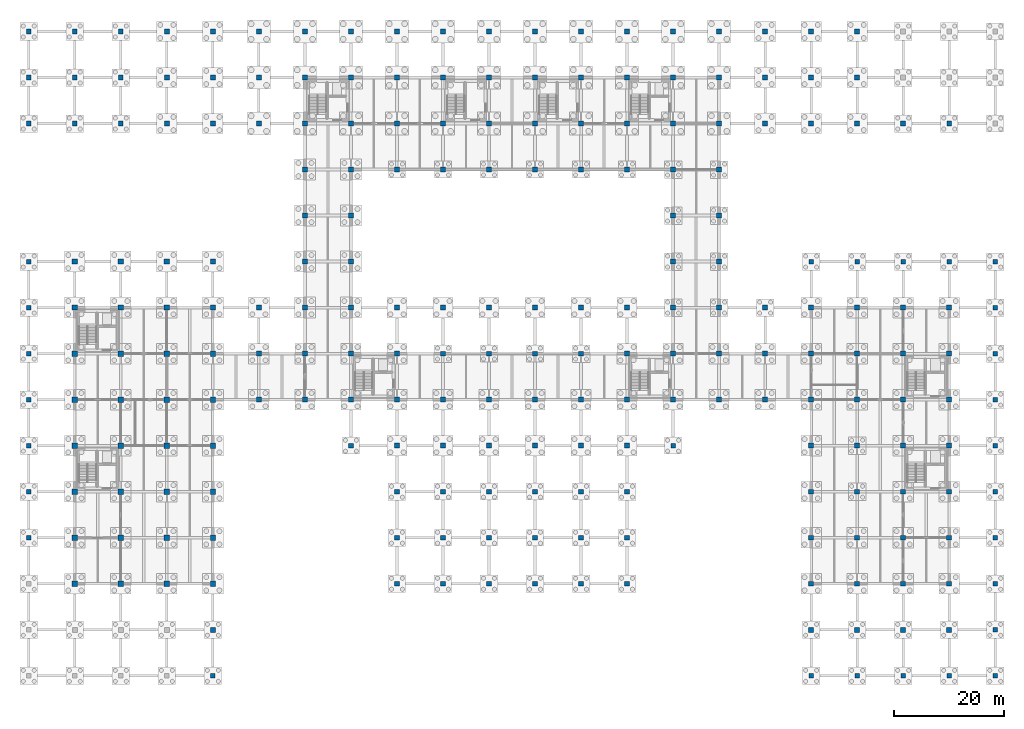
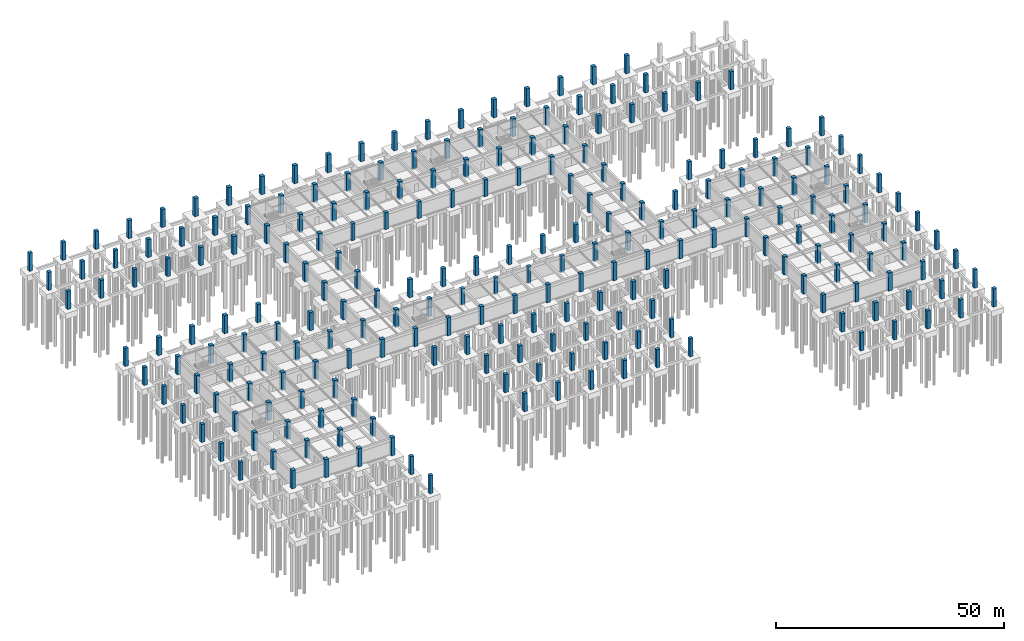
# One storey, part 12 of 29: 230 columns.
"""IFC4 building model written with IfcOpenShell, lengths in metres."""

from ifc_helpers import new_model, si_unit, direction, frame, origin, origin_2d, place, context, subcontext, project, spatial, rectangle, extrude, material, material_profile, profile_set, type_object, element, save


model = new_model("IFC4")

# Units and contexts
model_context = context("Model", 3, precision=1e-05, world=origin(), true_north=direction((0.0, 1.0)))
body_context = subcontext(model_context, "Body", "Model", "MODEL_VIEW")
ifc_project = project(units=[si_unit("LENGTHUNIT", "METRE"), si_unit("AREAUNIT", "SQUARE_METRE"), si_unit("VOLUMEUNIT", "CUBIC_METRE"), si_unit("PLANEANGLEUNIT", "RADIAN"), si_unit("MASSUNIT", "GRAM", prefix="KILO")], contexts=[model_context])

# Site, building, storey
site_placement = place(None, origin())
site = spatial("IfcSite", under=ifc_project, at=site_placement, CompositionType="ELEMENT")
building_placement = place(site_placement, origin())
building = spatial("IfcBuilding", under=site, at=building_placement, Name="Porcellanite Civic Hall", CompositionType="ELEMENT")
storey_placement = place(building_placement, frame((0.0, 0.0, -4.5)))
storey = spatial("IfcBuildingStorey", under=building, at=storey_placement, Name="B1", CompositionType="ELEMENT", Elevation=-4.5)

# Columns
ifc_material_1 = material(Name="Concrete N50 (50 MPa)", Category="concrete")
ifc_material_profile_1 = material_profile(ifc_material_1, rectangle(XDim=0.85009765625, YDim=0.85009765625, at=origin_2d()), Name="RC-850x850")
ifc_profile_set_1 = profile_set([ifc_material_profile_1], Name="Concrete N50 (50 MPa)")
column_type_1 = type_object("IfcColumnType", Name="COL-850", PredefinedType="COLUMN", material=ifc_profile_set_1)
for number, where, z_axis, x_axis, name in (
    (1, (0.0, 25.199951171875, -0.35009765625), (0.0, 0.0, 1.0), (1.0, 0.0, 0.0), "Column B1 0-3"),
    (2, (0.0, 33.60009765625, -0.35009765625), (0.0, 0.0, 1.0), (1.0, 0.0, 0.0), "Column B1 0-4"),
    (3, (0.0, 42.0, -0.35009765625), (0.0, 0.0, 1.0), (1.0, 0.0, 0.0), "Column B1 0-5"),
    (4, (0.0, 50.39990234375, -0.35009765625), (0.0, 0.0, 1.0), (1.0, 0.0, 0.0), "Column B1 0-6"),
    (5, (0.0, 58.800048828125, -0.35009765625), (0.0, 0.0, 1.0), (1.0, 0.0, 0.0), "Column B1 0-7"),
    (6, (0.0, 67.199951171875, -0.35009765625), (0.0, 0.0, 1.0), (1.0, 0.0, 0.0), "Column B1 0-8"),
    (7, (0.0, 75.60009765625, -0.35009765625), (0.0, 0.0, 1.0), (1.0, 0.0, 0.0), "Column B1 0-9"),
    (8, (0.0, 100.800048828125, -0.35009765625), (0.0, 0.0, 1.0), (1.0, 0.0, 0.0), "Column B1 0-12"),
    (9, (0.0, 109.199951171875, -0.35009765625), (0.0, 0.0, 1.0), (1.0, 0.0, 0.0), "Column B1 0-13"),
    (10, (0.0, 117.60009765625, -0.35009765625), (0.0, 0.0, 1.0), (1.0, 0.0, 0.0), "Column B1 0-14"),
    (11, (8.39990234375, 100.800048828125, -0.35009765625), (0.0, 0.0, 1.0), (1.0, 0.0, 0.0), "Column B1 1-12"),
    (12, (8.39990234375, 109.199951171875, -0.35009765625), (0.0, 0.0, 1.0), (1.0, 0.0, 0.0), "Column B1 1-13"),
    (13, (8.39990234375, 117.60009765625, -0.35009765625), (0.0, 0.0, 1.0), (1.0, 0.0, 0.0), "Column B1 1-14"),
    (14, (16.800048828125, 100.800048828125, -0.35009765625), (0.0, 0.0, 1.0), (1.0, 0.0, 0.0), "Column B1 2-12"),
    (15, (16.800048828125, 109.199951171875, -0.35009765625), (0.0, 0.0, 1.0), (1.0, 0.0, 0.0), "Column B1 2-13"),
    (16, (16.800048828125, 117.60009765625, -0.35009765625), (0.0, 0.0, 1.0), (1.0, 0.0, 0.0), "Column B1 2-14"),
    (17, (33.60009765625, 0.0, -0.35009765625), (0.0, 0.0, 1.0), (1.0, 0.0, 0.0), "Column B1 4-0"),
    (18, (58.800048828125, 42.0, -0.35009765625), (0.0, 0.0, 1.0), (1.0, 0.0, 0.0), "Column B1 7-5"),
    (19, (67.199951171875, 16.800048828125, -0.35009765625), (0.0, 0.0, 1.0), (1.0, 0.0, 0.0), "Column B1 8-2"),
    (20, (67.199951171875, 25.199951171875, -0.35009765625), (0.0, 0.0, 1.0), (1.0, 0.0, 0.0), "Column B1 8-3"),
    (21, (67.199951171875, 33.60009765625, -0.35009765625), (0.0, 0.0, 1.0), (1.0, 0.0, 0.0), "Column B1 8-4"),
):
    element("IfcColumn", number, at=place(storey_placement, frame(where, z_axis=z_axis, x_axis=x_axis)), inside=storey, type_object=column_type_1, Name=name, PredefinedType="COLUMN", context=body_context, shape_type="SweptSolid", body=[
        extrude(rectangle(XDim=0.85009765625, YDim=0.85009765625, at=origin_2d()), origin(), (0.0, 0.0, 1.0), 4.85009765625),
    ])
column_1_placement = place(storey_placement, frame((67.199951171875, 92.39990234375, -0.35009765625), z_axis=(0.0, 0.0, 1.0), x_axis=(1.0, 0.0, 0.0)))
element("IfcColumn", 22, at=column_1_placement, inside=storey, type_object=column_type_1, Name="Column B1 8-11", PredefinedType="COLUMN", context=body_context, shape_type="SweptSolid", body=[
    extrude(rectangle(XDim=0.85009765625, YDim=0.85009765625, at=origin_2d()), origin(), (0.0, 0.0, 1.0), 4.5),
])
column_2_placement = place(storey_placement, frame((75.60009765625, 16.800048828125, -0.35009765625), z_axis=(0.0, 0.0, 1.0), x_axis=(1.0, 0.0, 0.0)))
element("IfcColumn", 23, at=column_2_placement, inside=storey, type_object=column_type_1, Name="Column B1 9-2", PredefinedType="COLUMN", context=body_context, shape_type="SweptSolid", body=[
    extrude(rectangle(XDim=0.85009765625, YDim=0.85009765625, at=origin_2d()), origin(), (0.0, 0.0, 1.0), 4.85009765625),
])
for number, where, z_axis, x_axis, name in (
    (24, (75.60009765625, 25.199951171875, -0.35009765625), (0.0, 0.0, 1.0), (1.0, 0.0, 0.0), "Column B1 9-3"),
    (25, (75.60009765625, 33.60009765625, -0.35009765625), (0.0, 0.0, 1.0), (1.0, 0.0, 0.0), "Column B1 9-4"),
    (26, (75.60009765625, 58.800048828125, -0.35009765625), (0.0, 0.0, 1.0), (1.0, 0.0, 0.0), "Column B1 9-7"),
    (27, (75.60009765625, 92.39990234375, -0.35009765625), (0.0, 0.0, 1.0), (1.0, 0.0, 0.0), "Column B1 9-11"),
):
    element("IfcColumn", number, at=place(storey_placement, frame(where, z_axis=z_axis, x_axis=x_axis)), inside=storey, type_object=column_type_1, Name=name, PredefinedType="COLUMN", context=body_context, shape_type="SweptSolid", body=[
        extrude(rectangle(XDim=0.85009765625, YDim=0.85009765625, at=origin_2d()), origin(), (0.0, 0.0, 1.0), 4.5),
    ])
column_3_placement = place(storey_placement, frame((84.0, 16.800048828125, -0.35009765625), z_axis=(0.0, 0.0, 1.0), x_axis=(1.0, 0.0, 0.0)))
element("IfcColumn", 28, at=column_3_placement, inside=storey, type_object=column_type_1, Name="Column B1 10-2", PredefinedType="COLUMN", context=body_context, shape_type="SweptSolid", body=[
    extrude(rectangle(XDim=0.85009765625, YDim=0.85009765625, at=origin_2d()), origin(), (0.0, 0.0, 1.0), 4.85009765625),
])
for number, where, z_axis, x_axis, name in (
    (29, (84.0, 25.199951171875, -0.35009765625), (0.0, 0.0, 1.0), (1.0, 0.0, 0.0), "Column B1 10-3"),
    (30, (84.0, 33.60009765625, -0.35009765625), (0.0, 0.0, 1.0), (1.0, 0.0, 0.0), "Column B1 10-4"),
    (31, (84.0, 58.800048828125, -0.35009765625), (0.0, 0.0, 1.0), (1.0, 0.0, 0.0), "Column B1 10-7"),
    (32, (84.0, 92.39990234375, -0.35009765625), (0.0, 0.0, 1.0), (1.0, 0.0, 0.0), "Column B1 10-11"),
):
    element("IfcColumn", number, at=place(storey_placement, frame(where, z_axis=z_axis, x_axis=x_axis)), inside=storey, type_object=column_type_1, Name=name, PredefinedType="COLUMN", context=body_context, shape_type="SweptSolid", body=[
        extrude(rectangle(XDim=0.85009765625, YDim=0.85009765625, at=origin_2d()), origin(), (0.0, 0.0, 1.0), 4.5),
    ])
column_4_placement = place(storey_placement, frame((92.39990234375, 16.800048828125, -0.35009765625), z_axis=(0.0, 0.0, 1.0), x_axis=(1.0, 0.0, 0.0)))
element("IfcColumn", 33, at=column_4_placement, inside=storey, type_object=column_type_1, Name="Column B1 11-2", PredefinedType="COLUMN", context=body_context, shape_type="SweptSolid", body=[
    extrude(rectangle(XDim=0.85009765625, YDim=0.85009765625, at=origin_2d()), origin(), (0.0, 0.0, 1.0), 4.85009765625),
])
for number, where, z_axis, x_axis, name in (
    (34, (92.39990234375, 25.199951171875, -0.35009765625), (0.0, 0.0, 1.0), (1.0, 0.0, 0.0), "Column B1 11-3"),
    (35, (92.39990234375, 33.60009765625, -0.35009765625), (0.0, 0.0, 1.0), (1.0, 0.0, 0.0), "Column B1 11-4"),
    (36, (92.39990234375, 58.800048828125, -0.35009765625), (0.0, 0.0, 1.0), (1.0, 0.0, 0.0), "Column B1 11-7"),
    (37, (92.39990234375, 92.39990234375, -0.35009765625), (0.0, 0.0, 1.0), (1.0, 0.0, 0.0), "Column B1 11-11"),
):
    element("IfcColumn", number, at=place(storey_placement, frame(where, z_axis=z_axis, x_axis=x_axis)), inside=storey, type_object=column_type_1, Name=name, PredefinedType="COLUMN", context=body_context, shape_type="SweptSolid", body=[
        extrude(rectangle(XDim=0.85009765625, YDim=0.85009765625, at=origin_2d()), origin(), (0.0, 0.0, 1.0), 4.5),
    ])
column_5_placement = place(storey_placement, frame((100.800048828125, 16.800048828125, -0.35009765625), z_axis=(0.0, 0.0, 1.0), x_axis=(1.0, 0.0, 0.0)))
element("IfcColumn", 38, at=column_5_placement, inside=storey, type_object=column_type_1, Name="Column B1 12-2", PredefinedType="COLUMN", context=body_context, shape_type="SweptSolid", body=[
    extrude(rectangle(XDim=0.85009765625, YDim=0.85009765625, at=origin_2d()), origin(), (0.0, 0.0, 1.0), 4.85009765625),
])
for number, where, z_axis, x_axis, name in (
    (39, (100.800048828125, 25.199951171875, -0.35009765625), (0.0, 0.0, 1.0), (1.0, 0.0, 0.0), "Column B1 12-3"),
    (40, (100.800048828125, 33.60009765625, -0.35009765625), (0.0, 0.0, 1.0), (1.0, 0.0, 0.0), "Column B1 12-4"),
    (41, (100.800048828125, 58.800048828125, -0.35009765625), (0.0, 0.0, 1.0), (1.0, 0.0, 0.0), "Column B1 12-7"),
    (42, (100.800048828125, 92.39990234375, -0.35009765625), (0.0, 0.0, 1.0), (1.0, 0.0, 0.0), "Column B1 12-11"),
):
    element("IfcColumn", number, at=place(storey_placement, frame(where, z_axis=z_axis, x_axis=x_axis)), inside=storey, type_object=column_type_1, Name=name, PredefinedType="COLUMN", context=body_context, shape_type="SweptSolid", body=[
        extrude(rectangle(XDim=0.85009765625, YDim=0.85009765625, at=origin_2d()), origin(), (0.0, 0.0, 1.0), 4.5),
    ])
for number, where, z_axis, x_axis, name in (
    (43, (109.199951171875, 16.800048828125, -0.35009765625), (0.0, 0.0, 1.0), (1.0, 0.0, 0.0), "Column B1 13-2"),
    (44, (109.199951171875, 25.199951171875, -0.35009765625), (0.0, 0.0, 1.0), (1.0, 0.0, 0.0), "Column B1 13-3"),
    (45, (109.199951171875, 33.60009765625, -0.35009765625), (0.0, 0.0, 1.0), (1.0, 0.0, 0.0), "Column B1 13-4"),
):
    element("IfcColumn", number, at=place(storey_placement, frame(where, z_axis=z_axis, x_axis=x_axis)), inside=storey, type_object=column_type_1, Name=name, PredefinedType="COLUMN", context=body_context, shape_type="SweptSolid", body=[
        extrude(rectangle(XDim=0.85009765625, YDim=0.85009765625, at=origin_2d()), origin(), (0.0, 0.0, 1.0), 4.85009765625),
    ])
column_6_placement = place(storey_placement, frame((109.199951171875, 92.39990234375, -0.35009765625), z_axis=(0.0, 0.0, 1.0), x_axis=(1.0, 0.0, 0.0)))
element("IfcColumn", 46, at=column_6_placement, inside=storey, type_object=column_type_1, Name="Column B1 13-11", PredefinedType="COLUMN", context=body_context, shape_type="SweptSolid", body=[
    extrude(rectangle(XDim=0.85009765625, YDim=0.85009765625, at=origin_2d()), origin(), (0.0, 0.0, 1.0), 4.5),
])
for number, where, z_axis, x_axis, name in (
    (47, (117.60009765625, 42.0, -0.35009765625), (0.0, 0.0, 1.0), (1.0, 0.0, 0.0), "Column B1 14-5"),
    (48, (142.800048828125, 0.0, -0.35009765625), (0.0, 0.0, 1.0), (1.0, 0.0, 0.0), "Column B1 17-0"),
    (49, (142.800048828125, 75.60009765625, -0.35009765625), (0.0, 0.0, 1.0), (1.0, 0.0, 0.0), "Column B1 17-9"),
    (50, (151.199951171875, 0.0, -0.35009765625), (0.0, 0.0, 1.0), (1.0, 0.0, 0.0), "Column B1 18-0"),
    (51, (151.199951171875, 75.60009765625, -0.35009765625), (0.0, 0.0, 1.0), (1.0, 0.0, 0.0), "Column B1 18-9"),
    (52, (159.60009765625, 0.0, -0.35009765625), (0.0, 0.0, 1.0), (1.0, 0.0, 0.0), "Column B1 19-0"),
    (53, (159.60009765625, 75.60009765625, -0.35009765625), (0.0, 0.0, 1.0), (1.0, 0.0, 0.0), "Column B1 19-9"),
    (54, (168.0, 0.0, -0.35009765625), (0.0, 0.0, 1.0), (1.0, 0.0, 0.0), "Column B1 20-0"),
    (55, (168.0, 75.60009765625, -0.35009765625), (0.0, 0.0, 1.0), (1.0, 0.0, 0.0), "Column B1 20-9"),
    (56, (168.0, 100.800048828125, -0.35009765625), (0.0, 0.0, 1.0), (1.0, 0.0, 0.0), "Column B1 20-12"),
    (57, (176.39990234375, 0.0, -0.35009765625), (0.0, 0.0, 1.0), (1.0, 0.0, 0.0), "Column B1 21-0"),
    (58, (176.39990234375, 8.39990234375, -0.35009765625), (0.0, 0.0, 1.0), (1.0, 0.0, 0.0), "Column B1 21-1"),
    (59, (176.39990234375, 16.800048828125, -0.35009765625), (0.0, 0.0, 1.0), (1.0, 0.0, 0.0), "Column B1 21-2"),
    (60, (176.39990234375, 25.199951171875, -0.35009765625), (0.0, 0.0, 1.0), (1.0, 0.0, 0.0), "Column B1 21-3"),
    (61, (176.39990234375, 33.60009765625, -0.35009765625), (0.0, 0.0, 1.0), (1.0, 0.0, 0.0), "Column B1 21-4"),
    (62, (176.39990234375, 42.0, -0.35009765625), (0.0, 0.0, 1.0), (1.0, 0.0, 0.0), "Column B1 21-5"),
    (63, (176.39990234375, 50.39990234375, -0.35009765625), (0.0, 0.0, 1.0), (1.0, 0.0, 0.0), "Column B1 21-6"),
    (64, (176.39990234375, 58.800048828125, -0.35009765625), (0.0, 0.0, 1.0), (1.0, 0.0, 0.0), "Column B1 21-7"),
    (65, (176.39990234375, 67.199951171875, -0.35009765625), (0.0, 0.0, 1.0), (1.0, 0.0, 0.0), "Column B1 21-8"),
    (66, (176.39990234375, 75.60009765625, -0.35009765625), (0.0, 0.0, 1.0), (1.0, 0.0, 0.0), "Column B1 21-9"),
):
    element("IfcColumn", number, at=place(storey_placement, frame(where, z_axis=z_axis, x_axis=x_axis)), inside=storey, type_object=column_type_1, Name=name, PredefinedType="COLUMN", context=body_context, shape_type="SweptSolid", body=[
        extrude(rectangle(XDim=0.85009765625, YDim=0.85009765625, at=origin_2d()), origin(), (0.0, 0.0, 1.0), 4.85009765625),
    ])
ifc_material_2 = material(Name="Concrete N50 (50 MPa)", Category="concrete")
ifc_material_profile_2 = material_profile(ifc_material_2, rectangle(XDim=0.89990234375, YDim=0.89990234375, at=origin_2d()), Name="RC-900x900")
ifc_profile_set_2 = profile_set([ifc_material_profile_2], Name="Concrete N50 (50 MPa)")
column_type_2 = type_object("IfcColumnType", Name="COL-900", PredefinedType="COLUMN", material=ifc_profile_set_2)
for number, where, z_axis, x_axis, name in (
    (67, (25.199951171875, 100.800048828125, -0.35009765625), (0.0, 0.0, 1.0), (1.0, 0.0, 0.0), "Column B1 3-12"),
    (68, (25.199951171875, 109.199951171875, -0.35009765625), (0.0, 0.0, 1.0), (1.0, 0.0, 0.0), "Column B1 3-13"),
    (69, (25.199951171875, 117.60009765625, -0.35009765625), (0.0, 0.0, 1.0), (1.0, 0.0, 0.0), "Column B1 3-14"),
    (70, (33.60009765625, 8.39990234375, -0.35009765625), (0.0, 0.0, 1.0), (1.0, 0.0, 0.0), "Column B1 4-1"),
    (71, (33.60009765625, 100.800048828125, -0.35009765625), (0.0, 0.0, 1.0), (1.0, 0.0, 0.0), "Column B1 4-12"),
    (72, (33.60009765625, 109.199951171875, -0.35009765625), (0.0, 0.0, 1.0), (1.0, 0.0, 0.0), "Column B1 4-13"),
    (73, (33.60009765625, 117.60009765625, -0.35009765625), (0.0, 0.0, 1.0), (1.0, 0.0, 0.0), "Column B1 4-14"),
    (74, (42.0, 50.39990234375, -0.35009765625), (0.0, 0.0, 1.0), (1.0, 0.0, 0.0), "Column B1 5-6"),
    (75, (42.0, 58.800048828125, -0.35009765625), (0.0, 0.0, 1.0), (1.0, 0.0, 0.0), "Column B1 5-7"),
    (76, (50.39990234375, 50.39990234375, -0.35009765625), (0.0, 0.0, 1.0), (1.0, 0.0, 0.0), "Column B1 6-6"),
    (77, (50.39990234375, 58.800048828125, -0.35009765625), (0.0, 0.0, 1.0), (1.0, 0.0, 0.0), "Column B1 6-7"),
    (78, (58.800048828125, 50.39990234375, -0.35009765625), (0.0, 0.0, 1.0), (1.0, 0.0, 0.0), "Column B1 7-6"),
    (79, (58.800048828125, 58.800048828125, -0.35009765625), (0.0, 0.0, 1.0), (1.0, 0.0, 0.0), "Column B1 7-7"),
    (80, (67.199951171875, 42.0, -0.35009765625), (0.0, 0.0, 1.0), (1.0, 0.0, 0.0), "Column B1 8-5"),
    (81, (67.199951171875, 50.39990234375, -0.35009765625), (0.0, 0.0, 1.0), (1.0, 0.0, 0.0), "Column B1 8-6"),
    (82, (67.199951171875, 58.800048828125, -0.35009765625), (0.0, 0.0, 1.0), (1.0, 0.0, 0.0), "Column B1 8-7"),
    (83, (67.199951171875, 67.199951171875, -0.35009765625), (0.0, 0.0, 1.0), (1.0, 0.0, 0.0), "Column B1 8-8"),
    (84, (75.60009765625, 42.0, -0.35009765625), (0.0, 0.0, 1.0), (1.0, 0.0, 0.0), "Column B1 9-5"),
    (85, (75.60009765625, 50.39990234375, -0.35009765625), (0.0, 0.0, 1.0), (1.0, 0.0, 0.0), "Column B1 9-6"),
    (86, (75.60009765625, 67.199951171875, -0.35009765625), (0.0, 0.0, 1.0), (1.0, 0.0, 0.0), "Column B1 9-8"),
    (87, (84.0, 42.0, -0.35009765625), (0.0, 0.0, 1.0), (1.0, 0.0, 0.0), "Column B1 10-5"),
    (88, (84.0, 50.39990234375, -0.35009765625), (0.0, 0.0, 1.0), (1.0, 0.0, 0.0), "Column B1 10-6"),
    (89, (84.0, 67.199951171875, -0.35009765625), (0.0, 0.0, 1.0), (1.0, 0.0, 0.0), "Column B1 10-8"),
    (90, (92.39990234375, 42.0, -0.35009765625), (0.0, 0.0, 1.0), (1.0, 0.0, 0.0), "Column B1 11-5"),
    (91, (92.39990234375, 50.39990234375, -0.35009765625), (0.0, 0.0, 1.0), (1.0, 0.0, 0.0), "Column B1 11-6"),
    (92, (92.39990234375, 67.199951171875, -0.35009765625), (0.0, 0.0, 1.0), (1.0, 0.0, 0.0), "Column B1 11-8"),
    (93, (100.800048828125, 42.0, -0.35009765625), (0.0, 0.0, 1.0), (1.0, 0.0, 0.0), "Column B1 12-5"),
    (94, (100.800048828125, 50.39990234375, -0.35009765625), (0.0, 0.0, 1.0), (1.0, 0.0, 0.0), "Column B1 12-6"),
    (95, (100.800048828125, 67.199951171875, -0.35009765625), (0.0, 0.0, 1.0), (1.0, 0.0, 0.0), "Column B1 12-8"),
    (96, (109.199951171875, 42.0, -0.35009765625), (0.0, 0.0, 1.0), (1.0, 0.0, 0.0), "Column B1 13-5"),
    (97, (109.199951171875, 50.39990234375, -0.35009765625), (0.0, 0.0, 1.0), (1.0, 0.0, 0.0), "Column B1 13-6"),
    (98, (109.199951171875, 58.800048828125, -0.35009765625), (0.0, 0.0, 1.0), (1.0, 0.0, 0.0), "Column B1 13-7"),
    (99, (109.199951171875, 67.199951171875, -0.35009765625), (0.0, 0.0, 1.0), (1.0, 0.0, 0.0), "Column B1 13-8"),
    (100, (117.60009765625, 50.39990234375, -0.35009765625), (0.0, 0.0, 1.0), (1.0, 0.0, 0.0), "Column B1 14-6"),
    (101, (117.60009765625, 58.800048828125, -0.35009765625), (0.0, 0.0, 1.0), (1.0, 0.0, 0.0), "Column B1 14-7"),
    (102, (117.60009765625, 67.199951171875, -0.35009765625), (0.0, 0.0, 1.0), (1.0, 0.0, 0.0), "Column B1 14-8"),
    (103, (117.60009765625, 75.60009765625, -0.35009765625), (0.0, 0.0, 1.0), (1.0, 0.0, 0.0), "Column B1 14-9"),
    (104, (117.60009765625, 84.0, -0.35009765625), (0.0, 0.0, 1.0), (1.0, 0.0, 0.0), "Column B1 14-10"),
    (105, (117.60009765625, 92.39990234375, -0.35009765625), (0.0, 0.0, 1.0), (1.0, 0.0, 0.0), "Column B1 14-11"),
    (106, (126.0, 50.39990234375, -0.35009765625), (0.0, 0.0, 1.0), (1.0, 0.0, 0.0), "Column B1 15-6"),
    (107, (126.0, 58.800048828125, -0.35009765625), (0.0, 0.0, 1.0), (1.0, 0.0, 0.0), "Column B1 15-7"),
    (108, (126.0, 67.199951171875, -0.35009765625), (0.0, 0.0, 1.0), (1.0, 0.0, 0.0), "Column B1 15-8"),
    (109, (126.0, 75.60009765625, -0.35009765625), (0.0, 0.0, 1.0), (1.0, 0.0, 0.0), "Column B1 15-9"),
    (110, (126.0, 84.0, -0.35009765625), (0.0, 0.0, 1.0), (1.0, 0.0, 0.0), "Column B1 15-10"),
    (111, (126.0, 92.39990234375, -0.35009765625), (0.0, 0.0, 1.0), (1.0, 0.0, 0.0), "Column B1 15-11"),
    (112, (134.39990234375, 50.39990234375, -0.35009765625), (0.0, 0.0, 1.0), (1.0, 0.0, 0.0), "Column B1 16-6"),
    (113, (134.39990234375, 58.800048828125, -0.35009765625), (0.0, 0.0, 1.0), (1.0, 0.0, 0.0), "Column B1 16-7"),
    (114, (134.39990234375, 67.199951171875, -0.35009765625), (0.0, 0.0, 1.0), (1.0, 0.0, 0.0), "Column B1 16-8"),
    (115, (142.800048828125, 8.39990234375, -0.35009765625), (0.0, 0.0, 1.0), (1.0, 0.0, 0.0), "Column B1 17-1"),
    (116, (142.800048828125, 16.800048828125, -0.35009765625), (0.0, 0.0, 1.0), (1.0, 0.0, 0.0), "Column B1 17-2"),
    (117, (142.800048828125, 25.199951171875, -0.35009765625), (0.0, 0.0, 1.0), (1.0, 0.0, 0.0), "Column B1 17-3"),
    (118, (142.800048828125, 33.60009765625, -0.35009765625), (0.0, 0.0, 1.0), (1.0, 0.0, 0.0), "Column B1 17-4"),
    (119, (142.800048828125, 42.0, -0.35009765625), (0.0, 0.0, 1.0), (1.0, 0.0, 0.0), "Column B1 17-5"),
    (120, (142.800048828125, 50.39990234375, -0.35009765625), (0.0, 0.0, 1.0), (1.0, 0.0, 0.0), "Column B1 17-6"),
    (121, (142.800048828125, 58.800048828125, -0.35009765625), (0.0, 0.0, 1.0), (1.0, 0.0, 0.0), "Column B1 17-7"),
    (122, (142.800048828125, 67.199951171875, -0.35009765625), (0.0, 0.0, 1.0), (1.0, 0.0, 0.0), "Column B1 17-8"),
    (123, (142.800048828125, 100.800048828125, -0.35009765625), (0.0, 0.0, 1.0), (1.0, 0.0, 0.0), "Column B1 17-12"),
    (124, (142.800048828125, 109.199951171875, -0.35009765625), (0.0, 0.0, 1.0), (1.0, 0.0, 0.0), "Column B1 17-13"),
    (125, (142.800048828125, 117.60009765625, -0.35009765625), (0.0, 0.0, 1.0), (1.0, 0.0, 0.0), "Column B1 17-14"),
    (126, (151.199951171875, 8.39990234375, -0.35009765625), (0.0, 0.0, 1.0), (1.0, 0.0, 0.0), "Column B1 18-1"),
    (127, (151.199951171875, 16.800048828125, -0.35009765625), (0.0, 0.0, 1.0), (1.0, 0.0, 0.0), "Column B1 18-2"),
    (128, (151.199951171875, 25.199951171875, -0.35009765625), (0.0, 0.0, 1.0), (1.0, 0.0, 0.0), "Column B1 18-3"),
    (129, (151.199951171875, 33.60009765625, -0.35009765625), (0.0, 0.0, 1.0), (1.0, 0.0, 0.0), "Column B1 18-4"),
    (130, (151.199951171875, 42.0, -0.35009765625), (0.0, 0.0, 1.0), (1.0, 0.0, 0.0), "Column B1 18-5"),
    (131, (151.199951171875, 50.39990234375, -0.35009765625), (0.0, 0.0, 1.0), (1.0, 0.0, 0.0), "Column B1 18-6"),
    (132, (151.199951171875, 58.800048828125, -0.35009765625), (0.0, 0.0, 1.0), (1.0, 0.0, 0.0), "Column B1 18-7"),
    (133, (151.199951171875, 67.199951171875, -0.35009765625), (0.0, 0.0, 1.0), (1.0, 0.0, 0.0), "Column B1 18-8"),
    (134, (151.199951171875, 100.800048828125, -0.35009765625), (0.0, 0.0, 1.0), (1.0, 0.0, 0.0), "Column B1 18-12"),
    (135, (151.199951171875, 109.199951171875, -0.35009765625), (0.0, 0.0, 1.0), (1.0, 0.0, 0.0), "Column B1 18-13"),
    (136, (151.199951171875, 117.60009765625, -0.35009765625), (0.0, 0.0, 1.0), (1.0, 0.0, 0.0), "Column B1 18-14"),
    (137, (159.60009765625, 8.39990234375, -0.35009765625), (0.0, 0.0, 1.0), (1.0, 0.0, 0.0), "Column B1 19-1"),
    (138, (159.60009765625, 16.800048828125, -0.35009765625), (0.0, 0.0, 1.0), (1.0, 0.0, 0.0), "Column B1 19-2"),
    (139, (159.60009765625, 25.199951171875, -0.35009765625), (0.0, 0.0, 1.0), (1.0, 0.0, 0.0), "Column B1 19-3"),
    (140, (159.60009765625, 33.60009765625, -0.35009765625), (0.0, 0.0, 1.0), (1.0, 0.0, 0.0), "Column B1 19-4"),
    (141, (159.60009765625, 42.0, -0.35009765625), (0.0, 0.0, 1.0), (1.0, 0.0, 0.0), "Column B1 19-5"),
    (142, (159.60009765625, 50.39990234375, -0.35009765625), (0.0, 0.0, 1.0), (1.0, 0.0, 0.0), "Column B1 19-6"),
    (143, (159.60009765625, 58.800048828125, -0.35009765625), (0.0, 0.0, 1.0), (1.0, 0.0, 0.0), "Column B1 19-7"),
    (144, (159.60009765625, 67.199951171875, -0.35009765625), (0.0, 0.0, 1.0), (1.0, 0.0, 0.0), "Column B1 19-8"),
    (145, (159.60009765625, 100.800048828125, -0.35009765625), (0.0, 0.0, 1.0), (1.0, 0.0, 0.0), "Column B1 19-12"),
    (146, (168.0, 8.39990234375, -0.35009765625), (0.0, 0.0, 1.0), (1.0, 0.0, 0.0), "Column B1 20-1"),
    (147, (168.0, 16.800048828125, -0.35009765625), (0.0, 0.0, 1.0), (1.0, 0.0, 0.0), "Column B1 20-2"),
    (148, (168.0, 25.199951171875, -0.35009765625), (0.0, 0.0, 1.0), (1.0, 0.0, 0.0), "Column B1 20-3"),
    (149, (168.0, 33.60009765625, -0.35009765625), (0.0, 0.0, 1.0), (1.0, 0.0, 0.0), "Column B1 20-4"),
    (150, (168.0, 42.0, -0.35009765625), (0.0, 0.0, 1.0), (1.0, 0.0, 0.0), "Column B1 20-5"),
    (151, (168.0, 50.39990234375, -0.35009765625), (0.0, 0.0, 1.0), (1.0, 0.0, 0.0), "Column B1 20-6"),
    (152, (168.0, 58.800048828125, -0.35009765625), (0.0, 0.0, 1.0), (1.0, 0.0, 0.0), "Column B1 20-7"),
    (153, (168.0, 67.199951171875, -0.35009765625), (0.0, 0.0, 1.0), (1.0, 0.0, 0.0), "Column B1 20-8"),
):
    element("IfcColumn", number, at=place(storey_placement, frame(where, z_axis=z_axis, x_axis=x_axis)), inside=storey, type_object=column_type_2, Name=name, PredefinedType="COLUMN", context=body_context, shape_type="SweptSolid", body=[
        extrude(rectangle(XDim=0.89990234375, YDim=0.89990234375, at=origin_2d()), origin(), (0.0, 0.0, 1.0), 4.85009765625),
    ])
ifc_material_3 = material(Name="Concrete N50 (50 MPa)", Category="concrete")
ifc_material_profile_3 = material_profile(ifc_material_3, rectangle(XDim=0.949951171875, YDim=0.949951171875, at=origin_2d()), Name="RC-950x950")
ifc_profile_set_3 = profile_set([ifc_material_profile_3], Name="Concrete N50 (50 MPa)")
column_type_3 = type_object("IfcColumnType", Name="COL-950", PredefinedType="COLUMN", material=ifc_profile_set_3)
for number, where, z_axis, x_axis, name in (
    (154, (8.39990234375, 16.800048828125, -0.35009765625), (0.0, 0.0, 1.0), (1.0, 0.0, 0.0), "Column B1 1-2"),
    (155, (8.39990234375, 25.199951171875, -0.35009765625), (0.0, 0.0, 1.0), (1.0, 0.0, 0.0), "Column B1 1-3"),
    (156, (8.39990234375, 33.60009765625, -0.35009765625), (0.0, 0.0, 1.0), (1.0, 0.0, 0.0), "Column B1 1-4"),
    (157, (8.39990234375, 42.0, -0.35009765625), (0.0, 0.0, 1.0), (1.0, 0.0, 0.0), "Column B1 1-5"),
    (158, (8.39990234375, 50.39990234375, -0.35009765625), (0.0, 0.0, 1.0), (1.0, 0.0, 0.0), "Column B1 1-6"),
    (159, (8.39990234375, 58.800048828125, -0.35009765625), (0.0, 0.0, 1.0), (1.0, 0.0, 0.0), "Column B1 1-7"),
    (160, (8.39990234375, 67.199951171875, -0.35009765625), (0.0, 0.0, 1.0), (1.0, 0.0, 0.0), "Column B1 1-8"),
    (161, (8.39990234375, 75.60009765625, -0.35009765625), (0.0, 0.0, 1.0), (1.0, 0.0, 0.0), "Column B1 1-9"),
    (162, (16.800048828125, 16.800048828125, -0.35009765625), (0.0, 0.0, 1.0), (1.0, 0.0, 0.0), "Column B1 2-2"),
    (163, (16.800048828125, 25.199951171875, -0.35009765625), (0.0, 0.0, 1.0), (1.0, 0.0, 0.0), "Column B1 2-3"),
    (164, (16.800048828125, 33.60009765625, -0.35009765625), (0.0, 0.0, 1.0), (1.0, 0.0, 0.0), "Column B1 2-4"),
    (165, (16.800048828125, 42.0, -0.35009765625), (0.0, 0.0, 1.0), (1.0, 0.0, 0.0), "Column B1 2-5"),
    (166, (16.800048828125, 50.39990234375, -0.35009765625), (0.0, 0.0, 1.0), (1.0, 0.0, 0.0), "Column B1 2-6"),
    (167, (16.800048828125, 58.800048828125, -0.35009765625), (0.0, 0.0, 1.0), (1.0, 0.0, 0.0), "Column B1 2-7"),
    (168, (16.800048828125, 67.199951171875, -0.35009765625), (0.0, 0.0, 1.0), (1.0, 0.0, 0.0), "Column B1 2-8"),
    (169, (16.800048828125, 75.60009765625, -0.35009765625), (0.0, 0.0, 1.0), (1.0, 0.0, 0.0), "Column B1 2-9"),
    (170, (25.199951171875, 16.800048828125, -0.35009765625), (0.0, 0.0, 1.0), (1.0, 0.0, 0.0), "Column B1 3-2"),
    (171, (25.199951171875, 25.199951171875, -0.35009765625), (0.0, 0.0, 1.0), (1.0, 0.0, 0.0), "Column B1 3-3"),
    (172, (25.199951171875, 33.60009765625, -0.35009765625), (0.0, 0.0, 1.0), (1.0, 0.0, 0.0), "Column B1 3-4"),
    (173, (25.199951171875, 42.0, -0.35009765625), (0.0, 0.0, 1.0), (1.0, 0.0, 0.0), "Column B1 3-5"),
    (174, (25.199951171875, 50.39990234375, -0.35009765625), (0.0, 0.0, 1.0), (1.0, 0.0, 0.0), "Column B1 3-6"),
    (175, (25.199951171875, 58.800048828125, -0.35009765625), (0.0, 0.0, 1.0), (1.0, 0.0, 0.0), "Column B1 3-7"),
    (176, (25.199951171875, 67.199951171875, -0.35009765625), (0.0, 0.0, 1.0), (1.0, 0.0, 0.0), "Column B1 3-8"),
    (177, (25.199951171875, 75.60009765625, -0.35009765625), (0.0, 0.0, 1.0), (1.0, 0.0, 0.0), "Column B1 3-9"),
    (178, (33.60009765625, 16.800048828125, -0.35009765625), (0.0, 0.0, 1.0), (1.0, 0.0, 0.0), "Column B1 4-2"),
    (179, (33.60009765625, 25.199951171875, -0.35009765625), (0.0, 0.0, 1.0), (1.0, 0.0, 0.0), "Column B1 4-3"),
    (180, (33.60009765625, 33.60009765625, -0.35009765625), (0.0, 0.0, 1.0), (1.0, 0.0, 0.0), "Column B1 4-4"),
    (181, (33.60009765625, 42.0, -0.35009765625), (0.0, 0.0, 1.0), (1.0, 0.0, 0.0), "Column B1 4-5"),
    (182, (33.60009765625, 50.39990234375, -0.35009765625), (0.0, 0.0, 1.0), (1.0, 0.0, 0.0), "Column B1 4-6"),
    (183, (33.60009765625, 58.800048828125, -0.35009765625), (0.0, 0.0, 1.0), (1.0, 0.0, 0.0), "Column B1 4-7"),
    (184, (33.60009765625, 67.199951171875, -0.35009765625), (0.0, 0.0, 1.0), (1.0, 0.0, 0.0), "Column B1 4-8"),
    (185, (33.60009765625, 75.60009765625, -0.35009765625), (0.0, 0.0, 1.0), (1.0, 0.0, 0.0), "Column B1 4-9"),
    (186, (42.0, 67.199951171875, -0.35009765625), (0.0, 0.0, 1.0), (1.0, 0.0, 0.0), "Column B1 5-8"),
    (187, (42.0, 100.800048828125, -0.35009765625), (0.0, 0.0, 1.0), (1.0, 0.0, 0.0), "Column B1 5-12"),
    (188, (42.0, 109.199951171875, -0.35009765625), (0.0, 0.0, 1.0), (1.0, 0.0, 0.0), "Column B1 5-13"),
    (189, (42.0, 117.60009765625, -0.35009765625), (0.0, 0.0, 1.0), (1.0, 0.0, 0.0), "Column B1 5-14"),
    (190, (50.39990234375, 67.199951171875, -0.35009765625), (0.0, 0.0, 1.0), (1.0, 0.0, 0.0), "Column B1 6-8"),
    (191, (50.39990234375, 75.60009765625, -0.35009765625), (0.0, 0.0, 1.0), (1.0, 0.0, 0.0), "Column B1 6-9"),
    (192, (50.39990234375, 84.0, -0.35009765625), (0.0, 0.0, 1.0), (1.0, 0.0, 0.0), "Column B1 6-10"),
    (193, (50.39990234375, 92.39990234375, -0.35009765625), (0.0, 0.0, 1.0), (1.0, 0.0, 0.0), "Column B1 6-11"),
    (194, (50.39990234375, 100.800048828125, -0.35009765625), (0.0, 0.0, 1.0), (1.0, 0.0, 0.0), "Column B1 6-12"),
    (195, (50.39990234375, 109.199951171875, -0.35009765625), (0.0, 0.0, 1.0), (1.0, 0.0, 0.0), "Column B1 6-13"),
    (196, (50.39990234375, 117.60009765625, -0.35009765625), (0.0, 0.0, 1.0), (1.0, 0.0, 0.0), "Column B1 6-14"),
    (197, (58.800048828125, 67.199951171875, -0.35009765625), (0.0, 0.0, 1.0), (1.0, 0.0, 0.0), "Column B1 7-8"),
    (198, (58.800048828125, 75.60009765625, -0.35009765625), (0.0, 0.0, 1.0), (1.0, 0.0, 0.0), "Column B1 7-9"),
    (199, (58.800048828125, 84.0, -0.35009765625), (0.0, 0.0, 1.0), (1.0, 0.0, 0.0), "Column B1 7-10"),
    (200, (58.800048828125, 92.39990234375, -0.35009765625), (0.0, 0.0, 1.0), (1.0, 0.0, 0.0), "Column B1 7-11"),
    (201, (58.800048828125, 100.800048828125, -0.35009765625), (0.0, 0.0, 1.0), (1.0, 0.0, 0.0), "Column B1 7-12"),
    (202, (58.800048828125, 109.199951171875, -0.35009765625), (0.0, 0.0, 1.0), (1.0, 0.0, 0.0), "Column B1 7-13"),
    (203, (58.800048828125, 117.60009765625, -0.35009765625), (0.0, 0.0, 1.0), (1.0, 0.0, 0.0), "Column B1 7-14"),
    (204, (67.199951171875, 100.800048828125, -0.35009765625), (0.0, 0.0, 1.0), (1.0, 0.0, 0.0), "Column B1 8-12"),
    (205, (67.199951171875, 109.199951171875, -0.35009765625), (0.0, 0.0, 1.0), (1.0, 0.0, 0.0), "Column B1 8-13"),
    (206, (67.199951171875, 117.60009765625, -0.35009765625), (0.0, 0.0, 1.0), (1.0, 0.0, 0.0), "Column B1 8-14"),
    (207, (75.60009765625, 100.800048828125, -0.35009765625), (0.0, 0.0, 1.0), (1.0, 0.0, 0.0), "Column B1 9-12"),
    (208, (75.60009765625, 109.199951171875, -0.35009765625), (0.0, 0.0, 1.0), (1.0, 0.0, 0.0), "Column B1 9-13"),
    (209, (75.60009765625, 117.60009765625, -0.35009765625), (0.0, 0.0, 1.0), (1.0, 0.0, 0.0), "Column B1 9-14"),
    (210, (84.0, 100.800048828125, -0.35009765625), (0.0, 0.0, 1.0), (1.0, 0.0, 0.0), "Column B1 10-12"),
    (211, (84.0, 109.199951171875, -0.35009765625), (0.0, 0.0, 1.0), (1.0, 0.0, 0.0), "Column B1 10-13"),
    (212, (84.0, 117.60009765625, -0.35009765625), (0.0, 0.0, 1.0), (1.0, 0.0, 0.0), "Column B1 10-14"),
    (213, (92.39990234375, 100.800048828125, -0.35009765625), (0.0, 0.0, 1.0), (1.0, 0.0, 0.0), "Column B1 11-12"),
    (214, (92.39990234375, 109.199951171875, -0.35009765625), (0.0, 0.0, 1.0), (1.0, 0.0, 0.0), "Column B1 11-13"),
    (215, (92.39990234375, 117.60009765625, -0.35009765625), (0.0, 0.0, 1.0), (1.0, 0.0, 0.0), "Column B1 11-14"),
    (216, (100.800048828125, 100.800048828125, -0.35009765625), (0.0, 0.0, 1.0), (1.0, 0.0, 0.0), "Column B1 12-12"),
    (217, (100.800048828125, 109.199951171875, -0.35009765625), (0.0, 0.0, 1.0), (1.0, 0.0, 0.0), "Column B1 12-13"),
    (218, (100.800048828125, 117.60009765625, -0.35009765625), (0.0, 0.0, 1.0), (1.0, 0.0, 0.0), "Column B1 12-14"),
    (219, (109.199951171875, 100.800048828125, -0.35009765625), (0.0, 0.0, 1.0), (1.0, 0.0, 0.0), "Column B1 13-12"),
    (220, (109.199951171875, 109.199951171875, -0.35009765625), (0.0, 0.0, 1.0), (1.0, 0.0, 0.0), "Column B1 13-13"),
    (221, (109.199951171875, 117.60009765625, -0.35009765625), (0.0, 0.0, 1.0), (1.0, 0.0, 0.0), "Column B1 13-14"),
    (222, (117.60009765625, 100.800048828125, -0.35009765625), (0.0, 0.0, 1.0), (1.0, 0.0, 0.0), "Column B1 14-12"),
    (223, (117.60009765625, 109.199951171875, -0.35009765625), (0.0, 0.0, 1.0), (1.0, 0.0, 0.0), "Column B1 14-13"),
    (224, (117.60009765625, 117.60009765625, -0.35009765625), (0.0, 0.0, 1.0), (1.0, 0.0, 0.0), "Column B1 14-14"),
    (225, (126.0, 100.800048828125, -0.35009765625), (0.0, 0.0, 1.0), (1.0, 0.0, 0.0), "Column B1 15-12"),
    (226, (126.0, 109.199951171875, -0.35009765625), (0.0, 0.0, 1.0), (1.0, 0.0, 0.0), "Column B1 15-13"),
    (227, (126.0, 117.60009765625, -0.35009765625), (0.0, 0.0, 1.0), (1.0, 0.0, 0.0), "Column B1 15-14"),
    (228, (134.39990234375, 100.800048828125, -0.35009765625), (0.0, 0.0, 1.0), (1.0, 0.0, 0.0), "Column B1 16-12"),
    (229, (134.39990234375, 109.199951171875, -0.35009765625), (0.0, 0.0, 1.0), (1.0, 0.0, 0.0), "Column B1 16-13"),
    (230, (134.39990234375, 117.60009765625, -0.35009765625), (0.0, 0.0, 1.0), (1.0, 0.0, 0.0), "Column B1 16-14"),
):
    element("IfcColumn", number, at=place(storey_placement, frame(where, z_axis=z_axis, x_axis=x_axis)), inside=storey, type_object=column_type_3, Name=name, PredefinedType="COLUMN", context=body_context, shape_type="SweptSolid", body=[
        extrude(rectangle(XDim=0.949951171875, YDim=0.949951171875, at=origin_2d()), origin(), (0.0, 0.0, 1.0), 4.85009765625),
    ])

save(model, "model.ifc")
